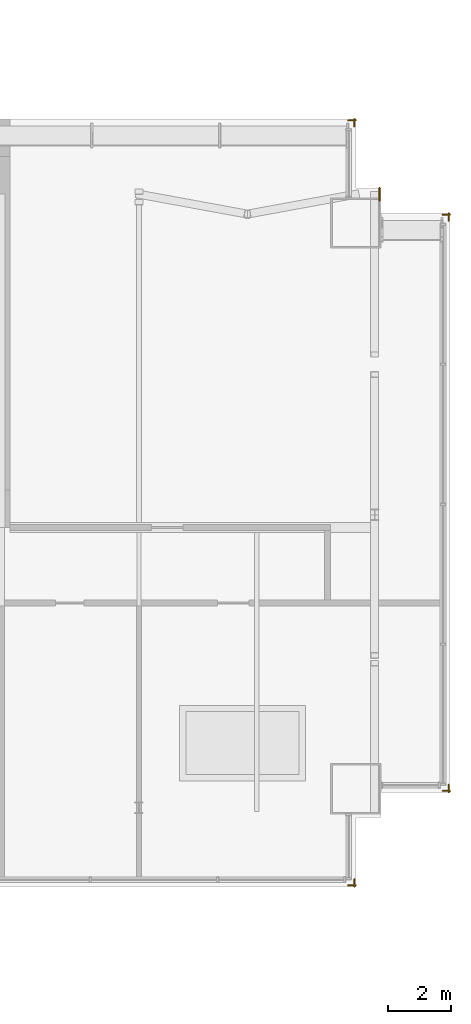
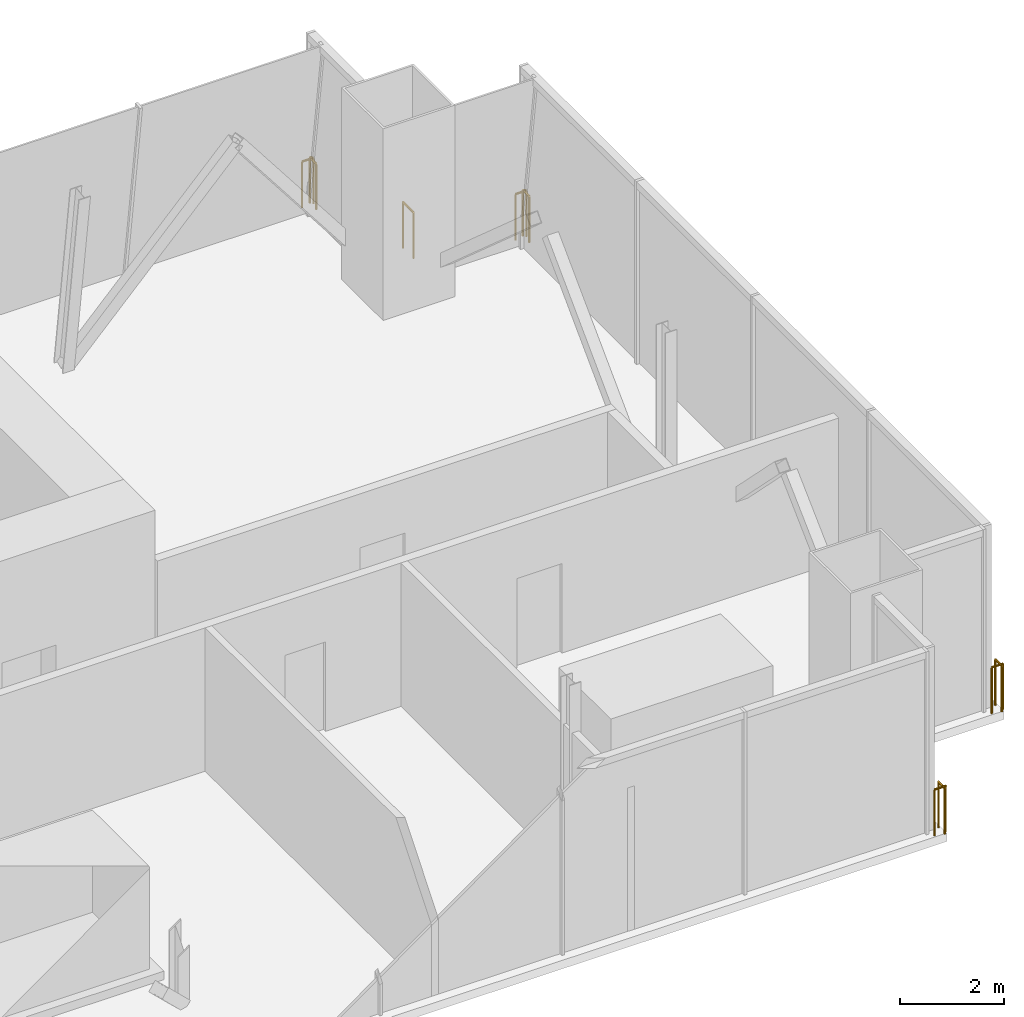
# One storey, part 17 of 18: 5 railings.
"""IFC4 building model written with IfcOpenShell, lengths in metres."""

from ifc_helpers import new_model, si_unit, direction, frame, origin, origin_2d, place, context, subcontext, project, spatial, circle, extrude, material, type_object, element, save


model = new_model("IFC4")

# Units and contexts
model_context = context("Model", 3, precision=1e-05, world=origin(), true_north=direction((0.0, 1.0)))
body_context = subcontext(model_context, "Body", "Model", "MODEL_VIEW")
ifc_project = project(units=[si_unit("LENGTHUNIT", "METRE"), si_unit("AREAUNIT", "SQUARE_METRE"), si_unit("VOLUMEUNIT", "CUBIC_METRE"), si_unit("PLANEANGLEUNIT", "RADIAN"), si_unit("MASSUNIT", "GRAM", prefix="KILO")], contexts=[model_context])

# Site, building, storey
site_placement = place(None, origin())
site = spatial("IfcSite", under=ifc_project, at=site_placement, CompositionType="ELEMENT")
building_placement = place(site_placement, origin())
building = spatial("IfcBuilding", under=site, at=building_placement, Name="Bicima Exchange Tower", CompositionType="ELEMENT")
storey_placement = place(building_placement, frame((0.0, 0.0, 347.89990234375)))
storey = spatial("IfcBuildingStorey", under=building, at=storey_placement, Name="L78", CompositionType="ELEMENT", Elevation=347.89990234375)

# Railings
ifc_material = material(Name="Stainless steel and bonded safety glass", Category="steel")
railing_type = type_object("IfcRailingType", Name="Edge guard 1100", PredefinedType="GUARDRAIL", material=ifc_material)
railing_1_placement = place(storey_placement, frame((32.949951171875, -24.18798828125, 0.0)))
element("IfcRailing", 1, at=railing_1_placement, inside=storey, type_object=railing_type, Name="Edge guard L78 410", PredefinedType="GUARDRAIL", context=body_context, shape_type="SweptSolid", body=[
    extrude(circle(Radius=0.02392578125, at=origin_2d()), frame((0.0, 0.0, 1.076171875), z_axis=(0.0, -1.0, 0.0), x_axis=(1.0, 0.0, 0.0)), (0.0, 0.0, 1.0), 0.243896484375),
    extrude(circle(Radius=0.02392578125, at=origin_2d()), frame((0.0, -0.243896484375, 1.076171875), z_axis=(0.708833529934, 0.705375805398, 0.0), x_axis=(-0.705375805398, 0.708833529934, 0.0)), (0.0, 0.0, 1.0), 0.070556640625),
    extrude(circle(Radius=0.02392578125, at=origin_2d()), frame((0.050048828125, -0.194091796875, 1.076171875), z_axis=(-1.0, 0.0, 0.0), x_axis=(0.0, -1.0, 0.0)), (0.0, 0.0, 1.0), 0.25),
    extrude(circle(Radius=0.02099609375, at=origin_2d()), origin(), (0.0, 0.0, 1.0), 1.052001953125),
    extrude(circle(Radius=0.02099609375, at=origin_2d()), frame((0.0, -0.243896484375, 0.0)), (0.0, 0.0, 1.0), 1.052001953125),
    extrude(circle(Radius=0.02099609375, at=origin_2d()), frame((0.050048828125, -0.194091796875, 0.0)), (0.0, 0.0, 1.0), 1.052001953125),
    extrude(circle(Radius=0.02099609375, at=origin_2d()), frame((-0.199951171875, -0.194091796875, 0.0)), (0.0, 0.0, 1.0), 1.052001953125),
])
railing_2_placement = place(storey_placement, frame((32.75, -0.050048828125, 0.0)))
element("IfcRailing", 2, at=railing_2_placement, inside=storey, type_object=railing_type, Name="Edge guard L78 413", PredefinedType="GUARDRAIL", context=body_context, shape_type="SweptSolid", body=[
    extrude(circle(Radius=0.02392578125, at=origin_2d()), frame((0.0, 0.0, 1.076171875), z_axis=(1.0, 0.0, 0.0), x_axis=(0.0, 1.0, 0.0)), (0.0, 0.0, 1.0), 0.25),
    extrude(circle(Radius=0.02392578125, at=origin_2d()), frame((0.25, 0.0, 1.076171875), z_axis=(-0.707106781187, 0.707106781187, 0.0), x_axis=(-0.707106781187, -0.707106781187, 0.0)), (0.0, 0.0, 1.0), 0.07080078125),
    extrude(circle(Radius=0.02392578125, at=origin_2d()), frame((0.199951171875, 0.050048828125, 1.076171875), z_axis=(0.0, -1.0, 0.0), x_axis=(1.0, 0.0, 0.0)), (0.0, 0.0, 1.0), 0.243896484375),
    extrude(circle(Radius=0.02099609375, at=origin_2d()), origin(), (0.0, 0.0, 1.0), 1.052001953125),
    extrude(circle(Radius=0.02099609375, at=origin_2d()), frame((0.25, 0.0, 0.0)), (0.0, 0.0, 1.0), 1.052001953125),
    extrude(circle(Radius=0.02099609375, at=origin_2d()), frame((0.199951171875, 0.050048828125, 0.0)), (0.0, 0.0, 1.0), 1.052001953125),
    extrude(circle(Radius=0.02099609375, at=origin_2d()), frame((0.199951171875, -0.19384765625, 0.0)), (0.0, 0.0, 1.0), 1.052001953125),
])
railing_3_placement = place(storey_placement, frame((33.75, -2.199951171875, 0.0)))
element("IfcRailing", 3, at=railing_3_placement, inside=storey, type_object=railing_type, Name="Edge guard L78 414", PredefinedType="GUARDRAIL", context=body_context, shape_type="SweptSolid", body=[
    extrude(circle(Radius=0.02392578125, at=origin_2d()), frame((0.0, 0.0, 1.076171875), z_axis=(0.0, -1.0, 0.0), x_axis=(1.0, 0.0, 0.0)), (0.0, 0.0, 1.0), 0.400146484375),
    extrude(circle(Radius=0.02099609375, at=origin_2d()), origin(), (0.0, 0.0, 1.0), 1.052001953125),
    extrude(circle(Radius=0.02099609375, at=origin_2d()), frame((0.0, -0.400146484375, 0.0)), (0.0, 0.0, 1.0), 1.052001953125),
])
railing_4_placement = place(storey_placement, frame((35.756103515625, -3.050048828125, 0.0)))
element("IfcRailing", 4, at=railing_4_placement, inside=storey, type_object=railing_type, Name="Edge guard L78 415", PredefinedType="GUARDRAIL", context=body_context, shape_type="SweptSolid", body=[
    extrude(circle(Radius=0.02392578125, at=origin_2d()), frame((0.0, 0.0, 1.076171875), z_axis=(1.0, 0.0, 0.0), x_axis=(0.0, 1.0, 0.0)), (0.0, 0.0, 1.0), 0.243896484375),
    extrude(circle(Radius=0.02392578125, at=origin_2d()), frame((0.243896484375, 0.0, 1.076171875), z_axis=(-0.707106781187, 0.707106781187, 0.0), x_axis=(-0.707106781187, -0.707106781187, 0.0)), (0.0, 0.0, 1.0), 0.07080078125),
    extrude(circle(Radius=0.02392578125, at=origin_2d()), frame((0.19384765625, 0.050048828125, 1.076171875), z_axis=(0.0, -1.0, 0.0), x_axis=(1.0, 0.0, 0.0)), (0.0, 0.0, 1.0), 0.2490234375),
    extrude(circle(Radius=0.02099609375, at=origin_2d()), origin(), (0.0, 0.0, 1.0), 1.052001953125),
    extrude(circle(Radius=0.02099609375, at=origin_2d()), frame((0.243896484375, 0.0, 0.0)), (0.0, 0.0, 1.0), 1.052001953125),
    extrude(circle(Radius=0.02099609375, at=origin_2d()), frame((0.19384765625, 0.050048828125, 0.0)), (0.0, 0.0, 1.0), 1.052001953125),
    extrude(circle(Radius=0.02099609375, at=origin_2d()), frame((0.19384765625, -0.198974609375, 0.0)), (0.0, 0.0, 1.0), 1.052001953125),
])
railing_5_placement = place(storey_placement, frame((35.949951171875, -21.18310546875, 0.0)))
element("IfcRailing", 5, at=railing_5_placement, inside=storey, type_object=railing_type, Name="Edge guard L78 416", PredefinedType="GUARDRAIL", context=body_context, shape_type="SweptSolid", body=[
    extrude(circle(Radius=0.02392578125, at=origin_2d()), frame((0.0, 0.0, 1.076171875), z_axis=(0.0, -1.0, 0.0), x_axis=(1.0, 0.0, 0.0)), (0.0, 0.0, 1.0), 0.248779296875),
    extrude(circle(Radius=0.02392578125, at=origin_2d()), frame((0.0, -0.248779296875, 1.076171875), z_axis=(0.708833529934, 0.705375805398, 0.0), x_axis=(-0.705375805398, 0.708833529934, 0.0)), (0.0, 0.0, 1.0), 0.070556640625),
    extrude(circle(Radius=0.02392578125, at=origin_2d()), frame((0.050048828125, -0.198974609375, 1.076171875), z_axis=(-1.0, 0.0, 0.0), x_axis=(0.0, -1.0, 0.0)), (0.0, 0.0, 1.0), 0.243896484375),
    extrude(circle(Radius=0.02099609375, at=origin_2d()), origin(), (0.0, 0.0, 1.0), 1.052001953125),
    extrude(circle(Radius=0.02099609375, at=origin_2d()), frame((0.0, -0.248779296875, 0.0)), (0.0, 0.0, 1.0), 1.052001953125),
    extrude(circle(Radius=0.02099609375, at=origin_2d()), frame((0.050048828125, -0.198974609375, 0.0)), (0.0, 0.0, 1.0), 1.052001953125),
    extrude(circle(Radius=0.02099609375, at=origin_2d()), frame((-0.19384765625, -0.198974609375, 0.0)), (0.0, 0.0, 1.0), 1.052001953125),
])

save(model, "model.ifc")
